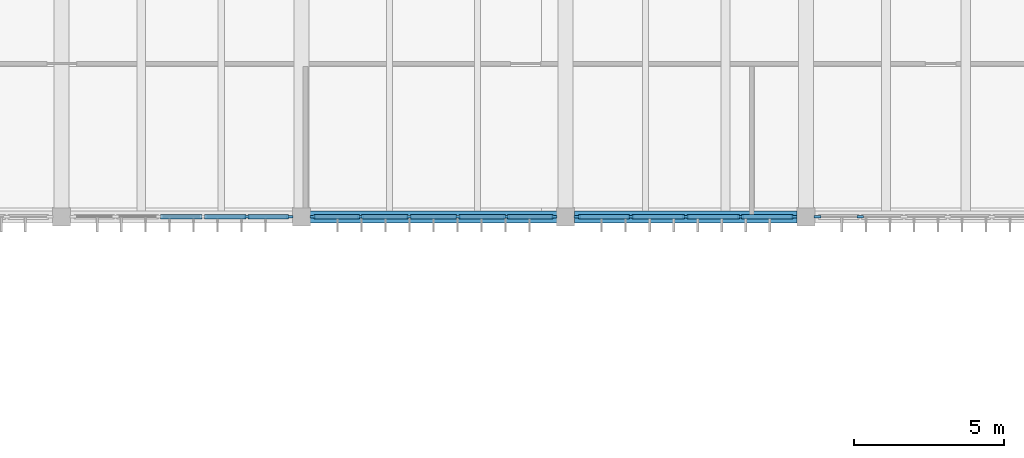
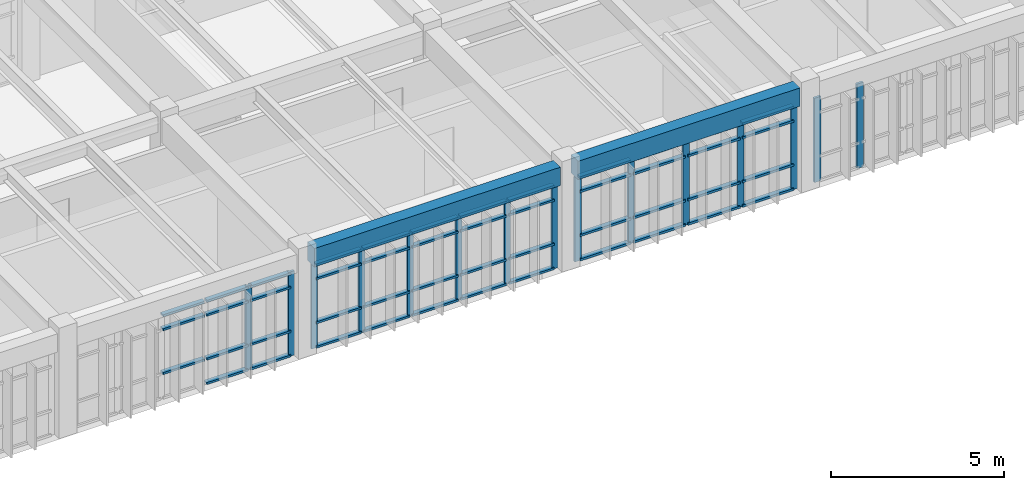
# One storey, part 5 of 22: 62 members, 2 beams, 4 elements without a shape of their own.
"""IFC4 building model written with IfcOpenShell, lengths in metres."""

from ifc_helpers import new_model, si_unit, direction, frame, origin, origin_2d, place, context, subcontext, project, spatial, rectangle, extrude, material, material_profile, profile_set, type_object, element, aggregate, save


model = new_model("IFC4")

# Units and contexts
model_context = context("Model", 3, precision=1e-05, world=origin(), true_north=direction((0.0, 1.0)))
body_context = subcontext(model_context, "Body", "Model", "MODEL_VIEW")
ifc_project = project(units=[si_unit("LENGTHUNIT", "METRE"), si_unit("AREAUNIT", "SQUARE_METRE"), si_unit("VOLUMEUNIT", "CUBIC_METRE"), si_unit("PLANEANGLEUNIT", "RADIAN"), si_unit("MASSUNIT", "GRAM", prefix="KILO")], contexts=[model_context])

# Site, building, storey
site_placement = place(None, origin())
site = spatial("IfcSite", under=ifc_project, at=site_placement, CompositionType="ELEMENT")
building_placement = place(site_placement, origin())
building = spatial("IfcBuilding", under=site, at=building_placement, Name="Tlaxcora Railside Police Headquarters", CompositionType="ELEMENT")
storey_placement = place(building_placement, frame((0.0, 0.0, 21.89990234375)))
storey = spatial("IfcBuildingStorey", under=building, at=storey_placement, Name="L05", CompositionType="ELEMENT", Elevation=21.89990234375)

# Curtain wall, members
ifc_material_1 = material(Name="Thermally broken low-E insulated glazing", Category="glass")
curtain_wall_type_1 = type_object("IfcCurtainWallType", Name="Unitised Curtain Wall Assembly CW-23", PredefinedType="NOTDEFINED", material=ifc_material_1)
curtain_wall_1_placement = place(storey_placement, origin())
curtain_wall_1 = element("IfcCurtainWall", 1, at=curtain_wall_1_placement, inside=storey, type_object=curtain_wall_type_1, Name="V5 L05 curtain wall 112", PredefinedType="NOTDEFINED")
ifc_material_2 = material(Name="Anodised aluminium framing", Category="aluminium")
ifc_material_profile_1 = material_profile(ifc_material_2, rectangle(XDim=0.080078125, YDim=0.219970703125, at=origin_2d()), Name="AL80X220")
ifc_profile_set_1 = profile_set([ifc_material_profile_1], Name="Anodised aluminium framing")
member_type_1 = type_object("IfcMemberType", Name="Curtain Wall Mullion CW-31", PredefinedType="MULLION", material=ifc_profile_set_1)
member_1_placement = place(storey_placement, frame((62.389892578125, 76.800048828125, 0.0), z_axis=(0.0, 0.0, 1.0), x_axis=(0.0, 1.0, 0.0)))
member_1 = element("IfcMember", 2, at=member_1_placement, type_object=member_type_1, Name="CW mullion 1", PredefinedType="MULLION", context=body_context, shape_type="SweptSolid", body=[
    extrude(rectangle(XDim=0.080078125, YDim=0.219970703125, at=origin_2d()), origin(), (0.0, 0.0, 1.0), 2.97998046875),
])
member_2_placement = place(storey_placement, frame((63.81005859375, 76.800048828125, 0.0), z_axis=(0.0, 0.0, 1.0), x_axis=(0.0, 1.0, 0.0)))
member_2 = element("IfcMember", 3, at=member_2_placement, type_object=member_type_1, Name="CW mullion 2", PredefinedType="MULLION", context=body_context, shape_type="SweptSolid", body=[
    extrude(rectangle(XDim=0.080078125, YDim=0.219970703125, at=origin_2d()), origin(), (0.0, 0.0, 1.0), 2.97998046875),
])
aggregate(curtain_wall_1, [member_1, member_2])

curtain_wall_type_2 = type_object("IfcCurtainWallType", Name="Unitised Curtain Wall Assembly CW-38", PredefinedType="NOTDEFINED", material=ifc_material_1)
curtain_wall_2_placement = place(storey_placement, origin())
curtain_wall_2 = element("IfcCurtainWall", 4, at=curtain_wall_2_placement, inside=storey, type_object=curtain_wall_type_2, Name="V5 L05 curtain wall 109", PredefinedType="NOTDEFINED")
ifc_material_profile_2 = material_profile(ifc_material_2, rectangle(XDim=0.074951171875, YDim=0.205078125, at=origin_2d()), Name="AL75X205")
ifc_profile_set_2 = profile_set([ifc_material_profile_2], Name="Anodised aluminium framing")
member_type_2 = type_object("IfcMemberType", Name="Curtain Wall Mullion CW-32", PredefinedType="MULLION", material=ifc_profile_set_2)
member_3_placement = place(storey_placement, frame((43.389892578125, 76.800048828125, 0.0), z_axis=(0.0, 0.0, 1.0), x_axis=(0.0, 1.0, 0.0)))
member_3 = element("IfcMember", 5, at=member_3_placement, type_object=member_type_2, Name="CW mullion 5", PredefinedType="MULLION", context=body_context, shape_type="SweptSolid", body=[
    extrude(rectangle(XDim=0.074951171875, YDim=0.205078125, at=origin_2d()), origin(), (0.0, 0.0, 1.0), 2.97998046875),
])
member_4_placement = place(storey_placement, frame((44.8125, 76.800048828125, 0.0), z_axis=(0.0, 0.0, 1.0), x_axis=(0.0, 1.0, 0.0)))
member_4 = element("IfcMember", 6, at=member_4_placement, type_object=member_type_2, Name="CW mullion 6", PredefinedType="MULLION", context=body_context, shape_type="SweptSolid", body=[
    extrude(rectangle(XDim=0.074951171875, YDim=0.205078125, at=origin_2d()), origin(), (0.0, 0.0, 1.0), 2.97998046875),
])

curtain_wall_type_3 = type_object("IfcCurtainWallType", Name="Unitised Curtain Wall Assembly CW-15", PredefinedType="NOTDEFINED", material=ifc_material_1)
curtain_wall_3_placement = place(storey_placement, origin())
curtain_wall_3 = element("IfcCurtainWall", 7, at=curtain_wall_3_placement, inside=storey, type_object=curtain_wall_type_3, Name="V5 L05 curtain wall 110", PredefinedType="NOTDEFINED")
ifc_material_profile_3 = material_profile(ifc_material_2, rectangle(XDim=0.074951171875, YDim=0.199951171875, at=origin_2d()), Name="AL75X200")
ifc_profile_set_3 = profile_set([ifc_material_profile_3], Name="Anodised aluminium framing")
member_type_3 = type_object("IfcMemberType", Name="Curtain Wall Mullion CW-58", PredefinedType="MULLION", material=ifc_profile_set_3)
member_5_placement = place(storey_placement, frame((45.58740234375, 76.800048828125, 0.0), z_axis=(0.0, 0.0, 1.0), x_axis=(0.0, 1.0, 0.0)))
member_5 = element("IfcMember", 8, at=member_5_placement, type_object=member_type_3, Name="CW mullion 1", PredefinedType="MULLION", context=body_context, shape_type="SweptSolid", body=[
    extrude(rectangle(XDim=0.074951171875, YDim=0.199951171875, at=origin_2d()), origin(), (0.0, 0.0, 1.0), 2.97998046875),
])
member_6_placement = place(storey_placement, frame((47.169921875, 76.800048828125, 0.0), z_axis=(0.0, 0.0, 1.0), x_axis=(0.0, 1.0, 0.0)))
member_6 = element("IfcMember", 9, at=member_6_placement, type_object=member_type_3, Name="CW mullion 2", PredefinedType="MULLION", context=body_context, shape_type="SweptSolid", body=[
    extrude(rectangle(XDim=0.074951171875, YDim=0.199951171875, at=origin_2d()), origin(), (0.0, 0.0, 1.0), 2.97998046875),
])
member_7_placement = place(storey_placement, frame((48.7900390625, 76.800048828125, 0.0), z_axis=(0.0, 0.0, 1.0), x_axis=(0.0, 1.0, 0.0)))
member_7 = element("IfcMember", 10, at=member_7_placement, type_object=member_type_3, Name="CW mullion 3", PredefinedType="MULLION", context=body_context, shape_type="SweptSolid", body=[
    extrude(rectangle(XDim=0.074951171875, YDim=0.199951171875, at=origin_2d()), origin(), (0.0, 0.0, 1.0), 2.97998046875),
])
member_8_placement = place(storey_placement, frame((50.409912109375, 76.800048828125, 0.0), z_axis=(0.0, 0.0, 1.0), x_axis=(0.0, 1.0, 0.0)))
member_8 = element("IfcMember", 11, at=member_8_placement, type_object=member_type_3, Name="CW mullion 4", PredefinedType="MULLION", context=body_context, shape_type="SweptSolid", body=[
    extrude(rectangle(XDim=0.074951171875, YDim=0.199951171875, at=origin_2d()), origin(), (0.0, 0.0, 1.0), 2.97998046875),
])
member_9_placement = place(storey_placement, frame((52.030029296875, 76.800048828125, 0.0), z_axis=(0.0, 0.0, 1.0), x_axis=(0.0, 1.0, 0.0)))
member_9 = element("IfcMember", 12, at=member_9_placement, type_object=member_type_3, Name="CW mullion 5", PredefinedType="MULLION", context=body_context, shape_type="SweptSolid", body=[
    extrude(rectangle(XDim=0.074951171875, YDim=0.199951171875, at=origin_2d()), origin(), (0.0, 0.0, 1.0), 2.97998046875),
])
member_10_placement = place(storey_placement, frame((53.612548828125, 76.800048828125, 0.0), z_axis=(0.0, 0.0, 1.0), x_axis=(0.0, 1.0, 0.0)))
member_10 = element("IfcMember", 13, at=member_10_placement, type_object=member_type_3, Name="CW mullion 6", PredefinedType="MULLION", context=body_context, shape_type="SweptSolid", body=[
    extrude(rectangle(XDim=0.074951171875, YDim=0.199951171875, at=origin_2d()), origin(), (0.0, 0.0, 1.0), 2.97998046875),
])

curtain_wall_type_4 = type_object("IfcCurtainWallType", Name="Unitised Curtain Wall Assembly CW-83", PredefinedType="NOTDEFINED", material=ifc_material_1)
curtain_wall_4_placement = place(storey_placement, origin())
curtain_wall_4 = element("IfcCurtainWall", 14, at=curtain_wall_4_placement, inside=storey, type_object=curtain_wall_type_4, Name="V5 L05 curtain wall 111", PredefinedType="NOTDEFINED")
ifc_material_profile_4 = material_profile(ifc_material_2, rectangle(XDim=0.080078125, YDim=0.2099609375, at=origin_2d()), Name="AL80X210")
ifc_profile_set_4 = profile_set([ifc_material_profile_4], Name="Anodised aluminium framing")
member_type_4 = type_object("IfcMemberType", Name="Curtain Wall Mullion CW-76", PredefinedType="MULLION", material=ifc_profile_set_4)
member_11_placement = place(storey_placement, frame((54.389892578125, 76.800048828125, 0.0), z_axis=(0.0, 0.0, 1.0), x_axis=(0.0, 1.0, 0.0)))
member_11 = element("IfcMember", 15, at=member_11_placement, type_object=member_type_4, Name="CW mullion 1", PredefinedType="MULLION", context=body_context, shape_type="SweptSolid", body=[
    extrude(rectangle(XDim=0.080078125, YDim=0.2099609375, at=origin_2d()), origin(), (0.0, 0.0, 1.0), 2.97998046875),
])
member_12_placement = place(storey_placement, frame((56.175048828125, 76.800048828125, 0.0), z_axis=(0.0, 0.0, 1.0), x_axis=(0.0, 1.0, 0.0)))
member_12 = element("IfcMember", 16, at=member_12_placement, type_object=member_type_4, Name="CW mullion 2", PredefinedType="MULLION", context=body_context, shape_type="SweptSolid", body=[
    extrude(rectangle(XDim=0.080078125, YDim=0.2099609375, at=origin_2d()), origin(), (0.0, 0.0, 1.0), 2.97998046875),
])
member_13_placement = place(storey_placement, frame((58.0, 76.800048828125, 0.0), z_axis=(0.0, 0.0, 1.0), x_axis=(0.0, 1.0, 0.0)))
member_13 = element("IfcMember", 17, at=member_13_placement, type_object=member_type_4, Name="CW mullion 3", PredefinedType="MULLION", context=body_context, shape_type="SweptSolid", body=[
    extrude(rectangle(XDim=0.080078125, YDim=0.2099609375, at=origin_2d()), origin(), (0.0, 0.0, 1.0), 2.97998046875),
])
member_14_placement = place(storey_placement, frame((59.824951171875, 76.800048828125, 0.0), z_axis=(0.0, 0.0, 1.0), x_axis=(0.0, 1.0, 0.0)))
member_14 = element("IfcMember", 18, at=member_14_placement, type_object=member_type_4, Name="CW mullion 4", PredefinedType="MULLION", context=body_context, shape_type="SweptSolid", body=[
    extrude(rectangle(XDim=0.080078125, YDim=0.2099609375, at=origin_2d()), origin(), (0.0, 0.0, 1.0), 2.97998046875),
])
member_15_placement = place(storey_placement, frame((61.610107421875, 76.800048828125, 0.0), z_axis=(0.0, 0.0, 1.0), x_axis=(0.0, 1.0, 0.0)))
member_15 = element("IfcMember", 19, at=member_15_placement, type_object=member_type_4, Name="CW mullion 5", PredefinedType="MULLION", context=body_context, shape_type="SweptSolid", body=[
    extrude(rectangle(XDim=0.080078125, YDim=0.2099609375, at=origin_2d()), origin(), (0.0, 0.0, 1.0), 2.97998046875),
])

# Member
ifc_material_profile_5 = material_profile(ifc_material_2, rectangle(XDim=0.14990234375, YDim=0.074951171875, at=origin_2d()), Name="AL75X150")
ifc_profile_set_5 = profile_set([ifc_material_profile_5], Name="Anodised aluminium framing")
member_type_5 = type_object("IfcMemberType", Name="Curtain Wall Transom CW-28", PredefinedType="USERDEFINED", material=ifc_profile_set_5)
member_16_placement = place(storey_placement, frame((45.625, 76.800048828125, 0.03759765625), z_axis=(1.0, 0.0, 0.0), x_axis=(0.0, 1.0, 0.0)))
member_16 = element("IfcMember", 20, at=member_16_placement, type_object=member_type_5, Name="CW transom 1.1", ObjectType="TRANSOM", PredefinedType="USERDEFINED", context=body_context, shape_type="SweptSolid", body=[
    extrude(rectangle(XDim=0.14990234375, YDim=0.074951171875, at=origin_2d()), origin(), (0.0, 0.0, 1.0), 1.507568359375),
])

member_17_placement = place(storey_placement, frame((45.625, 76.800048828125, 0.900146484375), z_axis=(1.0, 0.0, 0.0), x_axis=(0.0, 1.0, 0.0)))
member_17 = element("IfcMember", 21, at=member_17_placement, type_object=member_type_5, Name="CW transom 1.2", ObjectType="TRANSOM", PredefinedType="USERDEFINED", context=body_context, shape_type="SweptSolid", body=[
    extrude(rectangle(XDim=0.14990234375, YDim=0.074951171875, at=origin_2d()), origin(), (0.0, 0.0, 1.0), 1.507568359375),
])

member_18_placement = place(storey_placement, frame((45.625, 76.800048828125, 2.4501953125), z_axis=(1.0, 0.0, 0.0), x_axis=(0.0, 1.0, 0.0)))
member_18 = element("IfcMember", 22, at=member_18_placement, type_object=member_type_5, Name="CW transom 1.3", ObjectType="TRANSOM", PredefinedType="USERDEFINED", context=body_context, shape_type="SweptSolid", body=[
    extrude(rectangle(XDim=0.14990234375, YDim=0.074951171875, at=origin_2d()), origin(), (0.0, 0.0, 1.0), 1.507568359375),
])

member_19_placement = place(storey_placement, frame((45.625, 76.800048828125, 2.942626953125), z_axis=(1.0, 0.0, 0.0), x_axis=(0.0, 1.0, 0.0)))
member_19 = element("IfcMember", 23, at=member_19_placement, type_object=member_type_5, Name="CW transom 1.4", ObjectType="TRANSOM", PredefinedType="USERDEFINED", context=body_context, shape_type="SweptSolid", body=[
    extrude(rectangle(XDim=0.14990234375, YDim=0.074951171875, at=origin_2d()), origin(), (0.0, 0.0, 1.0), 1.507568359375),
])

member_20_placement = place(storey_placement, frame((47.20751953125, 76.800048828125, 0.03759765625), z_axis=(1.0, 0.0, 0.0), x_axis=(0.0, 1.0, 0.0)))
member_20 = element("IfcMember", 24, at=member_20_placement, type_object=member_type_5, Name="CW transom 2.1", ObjectType="TRANSOM", PredefinedType="USERDEFINED", context=body_context, shape_type="SweptSolid", body=[
    extrude(rectangle(XDim=0.14990234375, YDim=0.074951171875, at=origin_2d()), origin(), (0.0, 0.0, 1.0), 1.544921875),
])

member_21_placement = place(storey_placement, frame((47.20751953125, 76.800048828125, 0.900146484375), z_axis=(1.0, 0.0, 0.0), x_axis=(0.0, 1.0, 0.0)))
member_21 = element("IfcMember", 25, at=member_21_placement, type_object=member_type_5, Name="CW transom 2.2", ObjectType="TRANSOM", PredefinedType="USERDEFINED", context=body_context, shape_type="SweptSolid", body=[
    extrude(rectangle(XDim=0.14990234375, YDim=0.074951171875, at=origin_2d()), origin(), (0.0, 0.0, 1.0), 1.544921875),
])

member_22_placement = place(storey_placement, frame((47.20751953125, 76.800048828125, 2.4501953125), z_axis=(1.0, 0.0, 0.0), x_axis=(0.0, 1.0, 0.0)))
member_22 = element("IfcMember", 26, at=member_22_placement, type_object=member_type_5, Name="CW transom 2.3", ObjectType="TRANSOM", PredefinedType="USERDEFINED", context=body_context, shape_type="SweptSolid", body=[
    extrude(rectangle(XDim=0.14990234375, YDim=0.074951171875, at=origin_2d()), origin(), (0.0, 0.0, 1.0), 1.544921875),
])

member_23_placement = place(storey_placement, frame((47.20751953125, 76.800048828125, 2.942626953125), z_axis=(1.0, 0.0, 0.0), x_axis=(0.0, 1.0, 0.0)))
member_23 = element("IfcMember", 27, at=member_23_placement, type_object=member_type_5, Name="CW transom 2.4", ObjectType="TRANSOM", PredefinedType="USERDEFINED", context=body_context, shape_type="SweptSolid", body=[
    extrude(rectangle(XDim=0.14990234375, YDim=0.074951171875, at=origin_2d()), origin(), (0.0, 0.0, 1.0), 1.544921875),
])

member_24_placement = place(storey_placement, frame((48.827392578125, 76.800048828125, 0.03759765625), z_axis=(1.0, 0.0, 0.0), x_axis=(0.0, 1.0, 0.0)))
member_24 = element("IfcMember", 28, at=member_24_placement, type_object=member_type_5, Name="CW transom 3.1", ObjectType="TRANSOM", PredefinedType="USERDEFINED", context=body_context, shape_type="SweptSolid", body=[
    extrude(rectangle(XDim=0.14990234375, YDim=0.074951171875, at=origin_2d()), origin(), (0.0, 0.0, 1.0), 1.545166015625),
])

member_25_placement = place(storey_placement, frame((48.827392578125, 76.800048828125, 0.900146484375), z_axis=(1.0, 0.0, 0.0), x_axis=(0.0, 1.0, 0.0)))
member_25 = element("IfcMember", 29, at=member_25_placement, type_object=member_type_5, Name="CW transom 3.2", ObjectType="TRANSOM", PredefinedType="USERDEFINED", context=body_context, shape_type="SweptSolid", body=[
    extrude(rectangle(XDim=0.14990234375, YDim=0.074951171875, at=origin_2d()), origin(), (0.0, 0.0, 1.0), 1.545166015625),
])

member_26_placement = place(storey_placement, frame((48.827392578125, 76.800048828125, 2.4501953125), z_axis=(1.0, 0.0, 0.0), x_axis=(0.0, 1.0, 0.0)))
member_26 = element("IfcMember", 30, at=member_26_placement, type_object=member_type_5, Name="CW transom 3.3", ObjectType="TRANSOM", PredefinedType="USERDEFINED", context=body_context, shape_type="SweptSolid", body=[
    extrude(rectangle(XDim=0.14990234375, YDim=0.074951171875, at=origin_2d()), origin(), (0.0, 0.0, 1.0), 1.545166015625),
])

member_27_placement = place(storey_placement, frame((48.827392578125, 76.800048828125, 2.942626953125), z_axis=(1.0, 0.0, 0.0), x_axis=(0.0, 1.0, 0.0)))
member_27 = element("IfcMember", 31, at=member_27_placement, type_object=member_type_5, Name="CW transom 3.4", ObjectType="TRANSOM", PredefinedType="USERDEFINED", context=body_context, shape_type="SweptSolid", body=[
    extrude(rectangle(XDim=0.14990234375, YDim=0.074951171875, at=origin_2d()), origin(), (0.0, 0.0, 1.0), 1.545166015625),
])

member_28_placement = place(storey_placement, frame((50.447509765625, 76.800048828125, 0.03759765625), z_axis=(1.0, 0.0, 0.0), x_axis=(0.0, 1.0, 0.0)))
member_28 = element("IfcMember", 32, at=member_28_placement, type_object=member_type_5, Name="CW transom 4.1", ObjectType="TRANSOM", PredefinedType="USERDEFINED", context=body_context, shape_type="SweptSolid", body=[
    extrude(rectangle(XDim=0.14990234375, YDim=0.074951171875, at=origin_2d()), origin(), (0.0, 0.0, 1.0), 1.544921875),
])

member_29_placement = place(storey_placement, frame((50.447509765625, 76.800048828125, 0.900146484375), z_axis=(1.0, 0.0, 0.0), x_axis=(0.0, 1.0, 0.0)))
member_29 = element("IfcMember", 33, at=member_29_placement, type_object=member_type_5, Name="CW transom 4.2", ObjectType="TRANSOM", PredefinedType="USERDEFINED", context=body_context, shape_type="SweptSolid", body=[
    extrude(rectangle(XDim=0.14990234375, YDim=0.074951171875, at=origin_2d()), origin(), (0.0, 0.0, 1.0), 1.544921875),
])

member_30_placement = place(storey_placement, frame((50.447509765625, 76.800048828125, 2.4501953125), z_axis=(1.0, 0.0, 0.0), x_axis=(0.0, 1.0, 0.0)))
member_30 = element("IfcMember", 34, at=member_30_placement, type_object=member_type_5, Name="CW transom 4.3", ObjectType="TRANSOM", PredefinedType="USERDEFINED", context=body_context, shape_type="SweptSolid", body=[
    extrude(rectangle(XDim=0.14990234375, YDim=0.074951171875, at=origin_2d()), origin(), (0.0, 0.0, 1.0), 1.544921875),
])

member_31_placement = place(storey_placement, frame((50.447509765625, 76.800048828125, 2.942626953125), z_axis=(1.0, 0.0, 0.0), x_axis=(0.0, 1.0, 0.0)))
member_31 = element("IfcMember", 35, at=member_31_placement, type_object=member_type_5, Name="CW transom 4.4", ObjectType="TRANSOM", PredefinedType="USERDEFINED", context=body_context, shape_type="SweptSolid", body=[
    extrude(rectangle(XDim=0.14990234375, YDim=0.074951171875, at=origin_2d()), origin(), (0.0, 0.0, 1.0), 1.544921875),
])

member_32_placement = place(storey_placement, frame((52.0673828125, 76.800048828125, 0.03759765625), z_axis=(1.0, 0.0, 0.0), x_axis=(0.0, 1.0, 0.0)))
member_32 = element("IfcMember", 36, at=member_32_placement, type_object=member_type_5, Name="CW transom 5.1", ObjectType="TRANSOM", PredefinedType="USERDEFINED", context=body_context, shape_type="SweptSolid", body=[
    extrude(rectangle(XDim=0.14990234375, YDim=0.074951171875, at=origin_2d()), origin(), (0.0, 0.0, 1.0), 1.507568359375),
])

member_33_placement = place(storey_placement, frame((52.0673828125, 76.800048828125, 0.900146484375), z_axis=(1.0, 0.0, 0.0), x_axis=(0.0, 1.0, 0.0)))
member_33 = element("IfcMember", 37, at=member_33_placement, type_object=member_type_5, Name="CW transom 5.2", ObjectType="TRANSOM", PredefinedType="USERDEFINED", context=body_context, shape_type="SweptSolid", body=[
    extrude(rectangle(XDim=0.14990234375, YDim=0.074951171875, at=origin_2d()), origin(), (0.0, 0.0, 1.0), 1.507568359375),
])

member_34_placement = place(storey_placement, frame((52.0673828125, 76.800048828125, 2.4501953125), z_axis=(1.0, 0.0, 0.0), x_axis=(0.0, 1.0, 0.0)))
member_34 = element("IfcMember", 38, at=member_34_placement, type_object=member_type_5, Name="CW transom 5.3", ObjectType="TRANSOM", PredefinedType="USERDEFINED", context=body_context, shape_type="SweptSolid", body=[
    extrude(rectangle(XDim=0.14990234375, YDim=0.074951171875, at=origin_2d()), origin(), (0.0, 0.0, 1.0), 1.507568359375),
])

member_35_placement = place(storey_placement, frame((52.0673828125, 76.800048828125, 2.942626953125), z_axis=(1.0, 0.0, 0.0), x_axis=(0.0, 1.0, 0.0)))
member_35 = element("IfcMember", 39, at=member_35_placement, type_object=member_type_5, Name="CW transom 5.4", ObjectType="TRANSOM", PredefinedType="USERDEFINED", context=body_context, shape_type="SweptSolid", body=[
    extrude(rectangle(XDim=0.14990234375, YDim=0.074951171875, at=origin_2d()), origin(), (0.0, 0.0, 1.0), 1.507568359375),
])

aggregate(curtain_wall_3, [member_5, member_6, member_7, member_8, member_9, member_10, member_16, member_17, member_18, member_19, member_20, member_21, member_22, member_23, member_24, member_25, member_26, member_27, member_28, member_29, member_30, member_31, member_32, member_33, member_34, member_35])

ifc_material_profile_6 = material_profile(ifc_material_2, rectangle(XDim=0.155029296875, YDim=0.074951171875, at=origin_2d()), Name="AL75X155")
ifc_profile_set_6 = profile_set([ifc_material_profile_6], Name="Anodised aluminium framing")
member_type_6 = type_object("IfcMemberType", Name="Curtain Wall Transom CW-30", PredefinedType="USERDEFINED", material=ifc_profile_set_6)
member_36_placement = place(storey_placement, frame((40.507568359375, 76.800048828125, 0.900146484375), z_axis=(1.0, 0.0, 0.0), x_axis=(0.0, 1.0, 0.0)))
member_36 = element("IfcMember", 40, at=member_36_placement, type_object=member_type_6, Name="CW transom 3.2", ObjectType="TRANSOM", PredefinedType="USERDEFINED", context=body_context, shape_type="SweptSolid", body=[
    extrude(rectangle(XDim=0.155029296875, YDim=0.074951171875, at=origin_2d()), origin(), (0.0, 0.0, 1.0), 1.385009765625),
])

member_37_placement = place(storey_placement, frame((40.507568359375, 76.800048828125, 2.4501953125), z_axis=(1.0, 0.0, 0.0), x_axis=(0.0, 1.0, 0.0)))
member_37 = element("IfcMember", 41, at=member_37_placement, type_object=member_type_6, Name="CW transom 3.3", ObjectType="TRANSOM", PredefinedType="USERDEFINED", context=body_context, shape_type="SweptSolid", body=[
    extrude(rectangle(XDim=0.155029296875, YDim=0.074951171875, at=origin_2d()), origin(), (0.0, 0.0, 1.0), 1.385009765625),
])

member_38_placement = place(storey_placement, frame((40.507568359375, 76.800048828125, 2.942626953125), z_axis=(1.0, 0.0, 0.0), x_axis=(0.0, 1.0, 0.0)))
member_38 = element("IfcMember", 42, at=member_38_placement, type_object=member_type_6, Name="CW transom 3.4", ObjectType="TRANSOM", PredefinedType="USERDEFINED", context=body_context, shape_type="SweptSolid", body=[
    extrude(rectangle(XDim=0.155029296875, YDim=0.074951171875, at=origin_2d()), origin(), (0.0, 0.0, 1.0), 1.385009765625),
])

member_39_placement = place(storey_placement, frame((41.967529296875, 76.800048828125, 0.03759765625), z_axis=(1.0, 0.0, 0.0), x_axis=(0.0, 1.0, 0.0)))
member_39 = element("IfcMember", 43, at=member_39_placement, type_object=member_type_6, Name="CW transom 4.1", ObjectType="TRANSOM", PredefinedType="USERDEFINED", context=body_context, shape_type="SweptSolid", body=[
    extrude(rectangle(XDim=0.155029296875, YDim=0.074951171875, at=origin_2d()), origin(), (0.0, 0.0, 1.0), 1.385009765625),
])

member_40_placement = place(storey_placement, frame((41.967529296875, 76.800048828125, 0.900146484375), z_axis=(1.0, 0.0, 0.0), x_axis=(0.0, 1.0, 0.0)))
member_40 = element("IfcMember", 44, at=member_40_placement, type_object=member_type_6, Name="CW transom 4.2", ObjectType="TRANSOM", PredefinedType="USERDEFINED", context=body_context, shape_type="SweptSolid", body=[
    extrude(rectangle(XDim=0.155029296875, YDim=0.074951171875, at=origin_2d()), origin(), (0.0, 0.0, 1.0), 1.385009765625),
])

member_41_placement = place(storey_placement, frame((41.967529296875, 76.800048828125, 2.4501953125), z_axis=(1.0, 0.0, 0.0), x_axis=(0.0, 1.0, 0.0)))
member_41 = element("IfcMember", 45, at=member_41_placement, type_object=member_type_6, Name="CW transom 4.3", ObjectType="TRANSOM", PredefinedType="USERDEFINED", context=body_context, shape_type="SweptSolid", body=[
    extrude(rectangle(XDim=0.155029296875, YDim=0.074951171875, at=origin_2d()), origin(), (0.0, 0.0, 1.0), 1.385009765625),
])

member_42_placement = place(storey_placement, frame((41.967529296875, 76.800048828125, 2.942626953125), z_axis=(1.0, 0.0, 0.0), x_axis=(0.0, 1.0, 0.0)))
member_42 = element("IfcMember", 46, at=member_42_placement, type_object=member_type_6, Name="CW transom 4.4", ObjectType="TRANSOM", PredefinedType="USERDEFINED", context=body_context, shape_type="SweptSolid", body=[
    extrude(rectangle(XDim=0.155029296875, YDim=0.074951171875, at=origin_2d()), origin(), (0.0, 0.0, 1.0), 1.385009765625),
])

member_43_placement = place(storey_placement, frame((43.427490234375, 76.800048828125, 0.03759765625), z_axis=(1.0, 0.0, 0.0), x_axis=(0.0, 1.0, 0.0)))
member_43 = element("IfcMember", 47, at=member_43_placement, type_object=member_type_6, Name="CW transom 5.1", ObjectType="TRANSOM", PredefinedType="USERDEFINED", context=body_context, shape_type="SweptSolid", body=[
    extrude(rectangle(XDim=0.155029296875, YDim=0.074951171875, at=origin_2d()), origin(), (0.0, 0.0, 1.0), 1.347412109375),
])

member_44_placement = place(storey_placement, frame((43.427490234375, 76.800048828125, 0.900146484375), z_axis=(1.0, 0.0, 0.0), x_axis=(0.0, 1.0, 0.0)))
member_44 = element("IfcMember", 48, at=member_44_placement, type_object=member_type_6, Name="CW transom 5.2", ObjectType="TRANSOM", PredefinedType="USERDEFINED", context=body_context, shape_type="SweptSolid", body=[
    extrude(rectangle(XDim=0.155029296875, YDim=0.074951171875, at=origin_2d()), origin(), (0.0, 0.0, 1.0), 1.347412109375),
])

member_45_placement = place(storey_placement, frame((43.427490234375, 76.800048828125, 2.4501953125), z_axis=(1.0, 0.0, 0.0), x_axis=(0.0, 1.0, 0.0)))
member_45 = element("IfcMember", 49, at=member_45_placement, type_object=member_type_6, Name="CW transom 5.3", ObjectType="TRANSOM", PredefinedType="USERDEFINED", context=body_context, shape_type="SweptSolid", body=[
    extrude(rectangle(XDim=0.155029296875, YDim=0.074951171875, at=origin_2d()), origin(), (0.0, 0.0, 1.0), 1.347412109375),
])

member_46_placement = place(storey_placement, frame((43.427490234375, 76.800048828125, 2.942626953125), z_axis=(1.0, 0.0, 0.0), x_axis=(0.0, 1.0, 0.0)))
member_46 = element("IfcMember", 50, at=member_46_placement, type_object=member_type_6, Name="CW transom 5.4", ObjectType="TRANSOM", PredefinedType="USERDEFINED", context=body_context, shape_type="SweptSolid", body=[
    extrude(rectangle(XDim=0.155029296875, YDim=0.074951171875, at=origin_2d()), origin(), (0.0, 0.0, 1.0), 1.347412109375),
])

aggregate(curtain_wall_2, [member_3, member_4, member_36, member_37, member_38, member_39, member_40, member_41, member_42, member_43, member_44, member_45, member_46])

ifc_material_profile_7 = material_profile(ifc_material_2, rectangle(XDim=0.159912109375, YDim=0.080078125, at=origin_2d()), Name="AL80X160")
ifc_profile_set_7 = profile_set([ifc_material_profile_7], Name="Anodised aluminium framing")
member_type_7 = type_object("IfcMemberType", Name="Curtain Wall Transom CW-82", PredefinedType="USERDEFINED", material=ifc_profile_set_7)
member_47_placement = place(storey_placement, frame((54.429931640625, 76.800048828125, 0.0400390625), z_axis=(1.0, 0.0, 0.0), x_axis=(0.0, 1.0, 0.0)))
member_47 = element("IfcMember", 51, at=member_47_placement, type_object=member_type_7, Name="CW transom 1.1", ObjectType="TRANSOM", PredefinedType="USERDEFINED", context=body_context, shape_type="SweptSolid", body=[
    extrude(rectangle(XDim=0.159912109375, YDim=0.080078125, at=origin_2d()), origin(), (0.0, 0.0, 1.0), 1.705078125),
])

member_48_placement = place(storey_placement, frame((54.429931640625, 76.800048828125, 0.900146484375), z_axis=(1.0, 0.0, 0.0), x_axis=(0.0, 1.0, 0.0)))
member_48 = element("IfcMember", 52, at=member_48_placement, type_object=member_type_7, Name="CW transom 1.2", ObjectType="TRANSOM", PredefinedType="USERDEFINED", context=body_context, shape_type="SweptSolid", body=[
    extrude(rectangle(XDim=0.159912109375, YDim=0.080078125, at=origin_2d()), origin(), (0.0, 0.0, 1.0), 1.705078125),
])

member_49_placement = place(storey_placement, frame((54.429931640625, 76.800048828125, 2.4501953125), z_axis=(1.0, 0.0, 0.0), x_axis=(0.0, 1.0, 0.0)))
member_49 = element("IfcMember", 53, at=member_49_placement, type_object=member_type_7, Name="CW transom 1.3", ObjectType="TRANSOM", PredefinedType="USERDEFINED", context=body_context, shape_type="SweptSolid", body=[
    extrude(rectangle(XDim=0.159912109375, YDim=0.080078125, at=origin_2d()), origin(), (0.0, 0.0, 1.0), 1.705078125),
])

member_50_placement = place(storey_placement, frame((54.429931640625, 76.800048828125, 2.940185546875), z_axis=(1.0, 0.0, 0.0), x_axis=(0.0, 1.0, 0.0)))
member_50 = element("IfcMember", 54, at=member_50_placement, type_object=member_type_7, Name="CW transom 1.4", ObjectType="TRANSOM", PredefinedType="USERDEFINED", context=body_context, shape_type="SweptSolid", body=[
    extrude(rectangle(XDim=0.159912109375, YDim=0.080078125, at=origin_2d()), origin(), (0.0, 0.0, 1.0), 1.705078125),
])

member_51_placement = place(storey_placement, frame((56.215087890625, 76.800048828125, 0.0400390625), z_axis=(1.0, 0.0, 0.0), x_axis=(0.0, 1.0, 0.0)))
member_51 = element("IfcMember", 55, at=member_51_placement, type_object=member_type_7, Name="CW transom 2.1", ObjectType="TRANSOM", PredefinedType="USERDEFINED", context=body_context, shape_type="SweptSolid", body=[
    extrude(rectangle(XDim=0.159912109375, YDim=0.080078125, at=origin_2d()), origin(), (0.0, 0.0, 1.0), 1.744873046875),
])

member_52_placement = place(storey_placement, frame((56.215087890625, 76.800048828125, 0.900146484375), z_axis=(1.0, 0.0, 0.0), x_axis=(0.0, 1.0, 0.0)))
member_52 = element("IfcMember", 56, at=member_52_placement, type_object=member_type_7, Name="CW transom 2.2", ObjectType="TRANSOM", PredefinedType="USERDEFINED", context=body_context, shape_type="SweptSolid", body=[
    extrude(rectangle(XDim=0.159912109375, YDim=0.080078125, at=origin_2d()), origin(), (0.0, 0.0, 1.0), 1.744873046875),
])

member_53_placement = place(storey_placement, frame((56.215087890625, 76.800048828125, 2.4501953125), z_axis=(1.0, 0.0, 0.0), x_axis=(0.0, 1.0, 0.0)))
member_53 = element("IfcMember", 57, at=member_53_placement, type_object=member_type_7, Name="CW transom 2.3", ObjectType="TRANSOM", PredefinedType="USERDEFINED", context=body_context, shape_type="SweptSolid", body=[
    extrude(rectangle(XDim=0.159912109375, YDim=0.080078125, at=origin_2d()), origin(), (0.0, 0.0, 1.0), 1.744873046875),
])

member_54_placement = place(storey_placement, frame((56.215087890625, 76.800048828125, 2.940185546875), z_axis=(1.0, 0.0, 0.0), x_axis=(0.0, 1.0, 0.0)))
member_54 = element("IfcMember", 58, at=member_54_placement, type_object=member_type_7, Name="CW transom 2.4", ObjectType="TRANSOM", PredefinedType="USERDEFINED", context=body_context, shape_type="SweptSolid", body=[
    extrude(rectangle(XDim=0.159912109375, YDim=0.080078125, at=origin_2d()), origin(), (0.0, 0.0, 1.0), 1.744873046875),
])

member_55_placement = place(storey_placement, frame((58.0400390625, 76.800048828125, 0.0400390625), z_axis=(1.0, 0.0, 0.0), x_axis=(0.0, 1.0, 0.0)))
member_55 = element("IfcMember", 59, at=member_55_placement, type_object=member_type_7, Name="CW transom 3.1", ObjectType="TRANSOM", PredefinedType="USERDEFINED", context=body_context, shape_type="SweptSolid", body=[
    extrude(rectangle(XDim=0.159912109375, YDim=0.080078125, at=origin_2d()), origin(), (0.0, 0.0, 1.0), 1.744873046875),
])

member_56_placement = place(storey_placement, frame((58.0400390625, 76.800048828125, 0.900146484375), z_axis=(1.0, 0.0, 0.0), x_axis=(0.0, 1.0, 0.0)))
member_56 = element("IfcMember", 60, at=member_56_placement, type_object=member_type_7, Name="CW transom 3.2", ObjectType="TRANSOM", PredefinedType="USERDEFINED", context=body_context, shape_type="SweptSolid", body=[
    extrude(rectangle(XDim=0.159912109375, YDim=0.080078125, at=origin_2d()), origin(), (0.0, 0.0, 1.0), 1.744873046875),
])

member_57_placement = place(storey_placement, frame((58.0400390625, 76.800048828125, 2.4501953125), z_axis=(1.0, 0.0, 0.0), x_axis=(0.0, 1.0, 0.0)))
member_57 = element("IfcMember", 61, at=member_57_placement, type_object=member_type_7, Name="CW transom 3.3", ObjectType="TRANSOM", PredefinedType="USERDEFINED", context=body_context, shape_type="SweptSolid", body=[
    extrude(rectangle(XDim=0.159912109375, YDim=0.080078125, at=origin_2d()), origin(), (0.0, 0.0, 1.0), 1.744873046875),
])

member_58_placement = place(storey_placement, frame((58.0400390625, 76.800048828125, 2.940185546875), z_axis=(1.0, 0.0, 0.0), x_axis=(0.0, 1.0, 0.0)))
member_58 = element("IfcMember", 62, at=member_58_placement, type_object=member_type_7, Name="CW transom 3.4", ObjectType="TRANSOM", PredefinedType="USERDEFINED", context=body_context, shape_type="SweptSolid", body=[
    extrude(rectangle(XDim=0.159912109375, YDim=0.080078125, at=origin_2d()), origin(), (0.0, 0.0, 1.0), 1.744873046875),
])

member_59_placement = place(storey_placement, frame((59.864990234375, 76.800048828125, 0.0400390625), z_axis=(1.0, 0.0, 0.0), x_axis=(0.0, 1.0, 0.0)))
member_59 = element("IfcMember", 63, at=member_59_placement, type_object=member_type_7, Name="CW transom 4.1", ObjectType="TRANSOM", PredefinedType="USERDEFINED", context=body_context, shape_type="SweptSolid", body=[
    extrude(rectangle(XDim=0.159912109375, YDim=0.080078125, at=origin_2d()), origin(), (0.0, 0.0, 1.0), 1.705078125),
])

member_60_placement = place(storey_placement, frame((59.864990234375, 76.800048828125, 0.900146484375), z_axis=(1.0, 0.0, 0.0), x_axis=(0.0, 1.0, 0.0)))
member_60 = element("IfcMember", 64, at=member_60_placement, type_object=member_type_7, Name="CW transom 4.2", ObjectType="TRANSOM", PredefinedType="USERDEFINED", context=body_context, shape_type="SweptSolid", body=[
    extrude(rectangle(XDim=0.159912109375, YDim=0.080078125, at=origin_2d()), origin(), (0.0, 0.0, 1.0), 1.705078125),
])

member_61_placement = place(storey_placement, frame((59.864990234375, 76.800048828125, 2.4501953125), z_axis=(1.0, 0.0, 0.0), x_axis=(0.0, 1.0, 0.0)))
member_61 = element("IfcMember", 65, at=member_61_placement, type_object=member_type_7, Name="CW transom 4.3", ObjectType="TRANSOM", PredefinedType="USERDEFINED", context=body_context, shape_type="SweptSolid", body=[
    extrude(rectangle(XDim=0.159912109375, YDim=0.080078125, at=origin_2d()), origin(), (0.0, 0.0, 1.0), 1.705078125),
])

member_62_placement = place(storey_placement, frame((59.864990234375, 76.800048828125, 2.940185546875), z_axis=(1.0, 0.0, 0.0), x_axis=(0.0, 1.0, 0.0)))
member_62 = element("IfcMember", 66, at=member_62_placement, type_object=member_type_7, Name="CW transom 4.4", ObjectType="TRANSOM", PredefinedType="USERDEFINED", context=body_context, shape_type="SweptSolid", body=[
    extrude(rectangle(XDim=0.159912109375, YDim=0.080078125, at=origin_2d()), origin(), (0.0, 0.0, 1.0), 1.705078125),
])

aggregate(curtain_wall_4, [member_11, member_12, member_13, member_14, member_15, member_47, member_48, member_49, member_50, member_51, member_52, member_53, member_54, member_55, member_56, member_57, member_58, member_59, member_60, member_61, member_62])

# Beams
ifc_material_3 = material(Name="Concrete C40/50", Category="concrete")
ifc_material_profile_8 = material_profile(ifc_material_3, rectangle(XDim=0.39990234375, YDim=0.64990234375, at=origin_2d()), Name="RC400X650")
ifc_profile_set_8 = profile_set([ifc_material_profile_8], Name="Concrete C40/50")
beam_type = type_object("IfcBeamType", Name="Perimeter Spandrel Beam BM-46", PredefinedType="SPANDREL", material=ifc_profile_set_8)
beam_1_placement = place(storey_placement, frame((45.489990234375, 76.800048828125, 3.3251953125), z_axis=(1.0, 0.0, 0.0), x_axis=(0.0, 1.0, 0.0)))
element("IfcBeam", 67, at=beam_1_placement, inside=storey, type_object=beam_type, Name="V5 L05 X-girder Y=76.8", PredefinedType="SPANDREL", context=body_context, shape_type="SweptSolid", body=[
    extrude(rectangle(XDim=0.39990234375, YDim=0.64990234375, at=origin_2d()), origin(), (0.0, 0.0, 1.0), 8.219970703125),
])
beam_2_placement = place(storey_placement, frame((54.2900390625, 76.800048828125, 3.3251953125), z_axis=(1.0, 0.0, 0.0), x_axis=(0.0, 1.0, 0.0)))
element("IfcBeam", 68, at=beam_2_placement, inside=storey, type_object=beam_type, Name="V5 L05 X-girder Y=76.8", PredefinedType="SPANDREL", context=body_context, shape_type="SweptSolid", body=[
    extrude(rectangle(XDim=0.39990234375, YDim=0.64990234375, at=origin_2d()), origin(), (0.0, 0.0, 1.0), 7.419921875),
])

save(model, "model.ifc")
